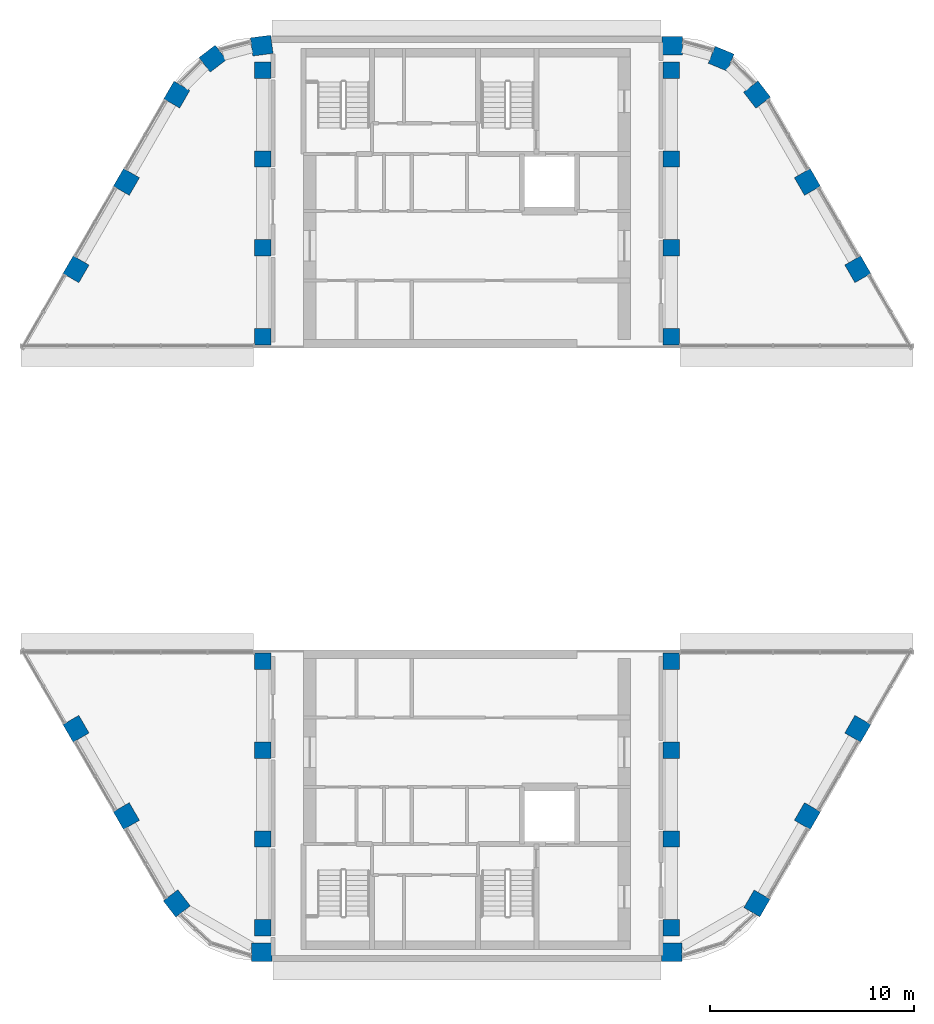
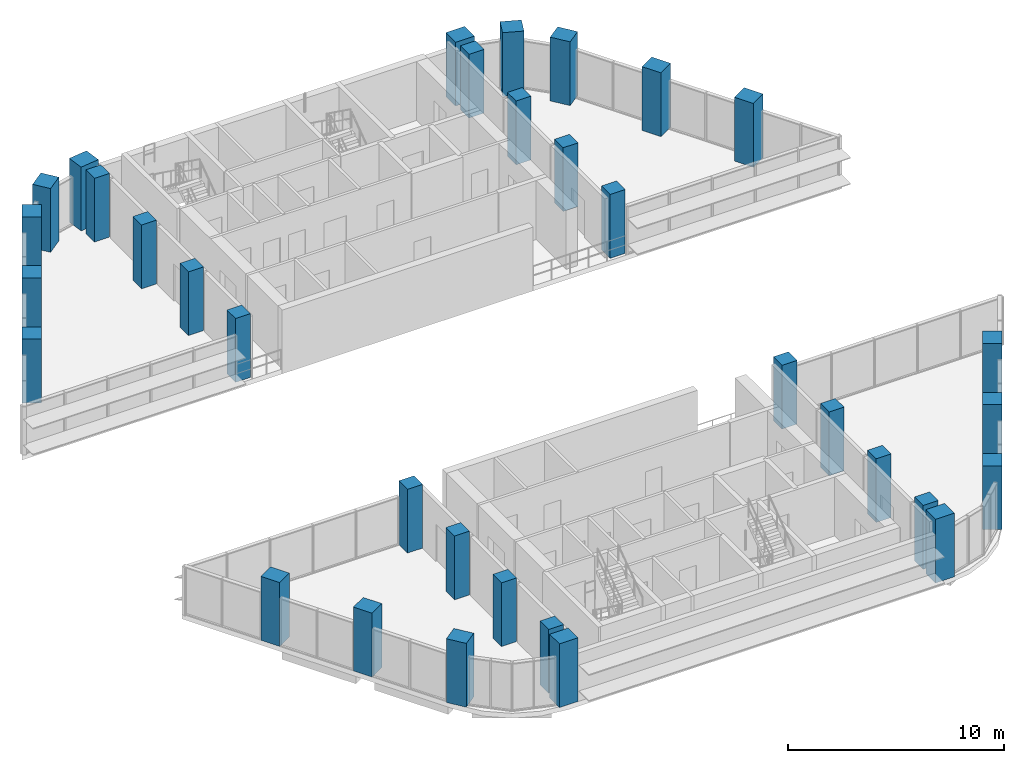
# One storey, part 1 of 15: 34 columns.
"""IFC4 building model written with IfcOpenShell, lengths in metres."""

from ifc_helpers import new_model, si_unit, direction, frame, origin, origin_2d, place, context, subcontext, project, spatial, rectangle, extrude, material, material_profile, profile_set, type_object, element, save


model = new_model("IFC4")

# Units and contexts
model_context = context("Model", 3, precision=1e-05, world=origin(), true_north=direction((0.0, 1.0)))
body_context = subcontext(model_context, "Body", "Model", "MODEL_VIEW")
ifc_project = project(units=[si_unit("LENGTHUNIT", "METRE"), si_unit("AREAUNIT", "SQUARE_METRE"), si_unit("VOLUMEUNIT", "CUBIC_METRE"), si_unit("PLANEANGLEUNIT", "RADIAN"), si_unit("MASSUNIT", "GRAM", prefix="KILO")], contexts=[model_context])

# Site, building, storey
site_placement = place(None, origin())
site = spatial("IfcSite", under=ifc_project, at=site_placement, CompositionType="ELEMENT")
building_placement = place(site_placement, origin())
building = spatial("IfcBuilding", under=site, at=building_placement, Name="Nakaniwa Court", CompositionType="ELEMENT")
storey_placement = place(building_placement, frame((0.0, 0.0, 283.199951171875)))
storey = spatial("IfcBuildingStorey", under=building, at=storey_placement, Name="C04", CompositionType="ELEMENT", Elevation=283.199951171875)

# Columns
ifc_material = material(Name="Concrete C80/100", Category="concrete")
ifc_material_profile_1 = material_profile(ifc_material, rectangle(XDim=1.0, YDim=0.89990234375, at=origin_2d()), Name="Concrete C80/100 RC 1000x900 perimeter column")
ifc_profile_set_1 = profile_set([ifc_material_profile_1], Name="Concrete C80/100")
column_type_1 = type_object("IfcColumnType", Name="Concrete C80/100 RC 1000x900 perimeter column", PredefinedType="COLUMN", material=ifc_profile_set_1)
for number, where, z_axis, x_axis, name in (
    (1, (69.95458984375, 102.199951171875, 0.0), (0.0, 0.0, 1.0), (-0.991442583111, -0.130543496177, 0.0), "COLUMN CO-01"),
    (2, (67.552001953125, 101.560302734375, 0.0), (0.0, 0.0, 1.0), (-0.793363965062, -0.608747582288, 0.0), "COLUMN CO-02"),
    (3, (65.796875, 99.799560546875, 0.0), (0.0, 0.0, 1.0), (-0.5, -0.866025403784, 0.0), "COLUMN CO-03"),
    (4, (63.328857421875, 95.524658203125, 0.0), (0.0, 0.0, 1.0), (-0.5, -0.866025403784, 0.0), "COLUMN CO-04"),
    (5, (60.860595703125, 91.249755859375, 0.0), (0.0, 0.0, 1.0), (-0.5, -0.866025403784, 0.0), "COLUMN CO-05"),
    (6, (60.860595703125, 68.750244140625, 0.0), (0.0, 0.0, 1.0), (0.5, -0.866025403784, 0.0), "COLUMN CO-14"),
    (7, (63.328857421875, 64.475341796875, 0.0), (0.0, 0.0, 1.0), (0.5, -0.866025403784, 0.0), "COLUMN CO-15"),
    (8, (65.796875, 60.200439453125, 0.0), (0.0, 0.0, 1.0), (0.608761429009, -0.793353340291, 0.0), "COLUMN CO-16"),
    (9, (69.95458984375, 57.800048828125, 0.0), (0.0, 0.0, 1.0), (1.0, 0.0, 0.0), "COLUMN CO-17"),
    (10, (90.03955078125, 57.800048828125, 0.0), (0.0, 0.0, 1.0), (1.0, 0.0, 0.0), "COLUMN CO-21"),
    (11, (94.203125, 60.200439453125, 0.0), (0.0, 0.0, 1.0), (0.5, 0.866025403784, 0.0), "COLUMN CO-22"),
    (12, (96.671142578125, 64.475341796875, 0.0), (0.0, 0.0, 1.0), (0.5, 0.866025403784, 0.0), "COLUMN CO-23"),
    (13, (99.139404296875, 68.750244140625, 0.0), (0.0, 0.0, 1.0), (0.5, 0.866025403784, 0.0), "COLUMN CO-24"),
    (14, (99.139404296875, 91.249755859375, 0.0), (0.0, 0.0, 1.0), (-0.5, 0.866025403784, 0.0), "COLUMN CO-33"),
    (15, (96.671142578125, 95.524658203125, 0.0), (0.0, 0.0, 1.0), (-0.5, 0.866025403784, 0.0), "COLUMN CO-34"),
    (16, (94.203125, 99.799560546875, 0.0), (0.0, 0.0, 1.0), (-0.608761429009, 0.793353340291, 0.0), "COLUMN CO-35"),
    (17, (92.447998046875, 101.560302734375, 0.0), (0.0, 0.0, 1.0), (-0.923879532511, 0.382683432365, 0.0), "COLUMN CO-36"),
    (18, (90.04541015625, 102.199951171875, 0.0), (0.0, 0.0, 1.0), (-1.0, 0.0, 0.0), "COLUMN CO-37"),
):
    element("IfcColumn", number, at=place(storey_placement, frame(where, z_axis=z_axis, x_axis=x_axis)), inside=storey, type_object=column_type_1, Name=name, PredefinedType="COLUMN", context=body_context, shape_type="SweptSolid", body=[
        extrude(rectangle(XDim=1.0, YDim=0.89990234375, at=origin_2d()), origin(), (0.0, 0.0, 1.0), 3.60009765625),
    ])
ifc_material_profile_2 = material_profile(ifc_material, rectangle(XDim=0.800048828125, YDim=0.800048828125, at=origin_2d()), Name="Concrete C80/100 RC 800x800 spine column")
ifc_profile_set_2 = profile_set([ifc_material_profile_2], Name="Concrete C80/100")
column_type_2 = type_object("IfcColumnType", Name="Concrete C80/100 RC 800x800 spine column", PredefinedType="COLUMN", material=ifc_profile_set_2)
for number, where, z_axis, x_axis, name in (
    (19, (90.0, 59.0, 0.0), (0.0, 0.0, 1.0), (0.0, 1.0, 0.0), "COLUMN CS-01"),
    (20, (90.0, 63.35009765625, 0.0), (0.0, 0.0, 1.0), (0.0, 1.0, 0.0), "COLUMN CS-02"),
    (21, (90.0, 67.699951171875, 0.0), (0.0, 0.0, 1.0), (0.0, 1.0, 0.0), "COLUMN CS-03"),
    (22, (90.0, 72.050048828125, 0.0), (0.0, 0.0, 1.0), (0.0, 1.0, 0.0), "COLUMN CS-04"),
    (23, (90.0, 87.949951171875, 0.0), (0.0, 0.0, 1.0), (0.0, 1.0, 0.0), "COLUMN CS-07"),
    (24, (90.0, 92.300048828125, 0.0), (0.0, 0.0, 1.0), (0.0, 1.0, 0.0), "COLUMN CS-08"),
    (25, (90.0, 96.64990234375, 0.0), (0.0, 0.0, 1.0), (0.0, 1.0, 0.0), "COLUMN CS-09"),
    (26, (90.0, 101.0, 0.0), (0.0, 0.0, 1.0), (0.0, 1.0, 0.0), "COLUMN CS-10"),
    (27, (70.0, 101.0, 0.0), (0.0, 0.0, 1.0), (0.0, -1.0, 0.0), "COLUMN CS-11"),
    (28, (70.0, 96.64990234375, 0.0), (0.0, 0.0, 1.0), (0.0, -1.0, 0.0), "COLUMN CS-12"),
    (29, (70.0, 92.300048828125, 0.0), (0.0, 0.0, 1.0), (0.0, -1.0, 0.0), "COLUMN CS-13"),
    (30, (70.0, 87.949951171875, 0.0), (0.0, 0.0, 1.0), (0.0, -1.0, 0.0), "COLUMN CS-14"),
    (31, (70.0, 72.050048828125, 0.0), (0.0, 0.0, 1.0), (0.0, -1.0, 0.0), "COLUMN CS-17"),
    (32, (70.0, 67.699951171875, 0.0), (0.0, 0.0, 1.0), (0.0, -1.0, 0.0), "COLUMN CS-18"),
    (33, (70.0, 63.35009765625, 0.0), (0.0, 0.0, 1.0), (0.0, -1.0, 0.0), "COLUMN CS-19"),
    (34, (70.0, 59.0, 0.0), (0.0, 0.0, 1.0), (0.0, -1.0, 0.0), "COLUMN CS-20"),
):
    element("IfcColumn", number, at=place(storey_placement, frame(where, z_axis=z_axis, x_axis=x_axis)), inside=storey, type_object=column_type_2, Name=name, PredefinedType="COLUMN", context=body_context, shape_type="SweptSolid", body=[
        extrude(rectangle(XDim=0.800048828125, YDim=0.800048828125, at=origin_2d()), origin(), (0.0, 0.0, 1.0), 3.60009765625),
    ])

save(model, "model.ifc")
